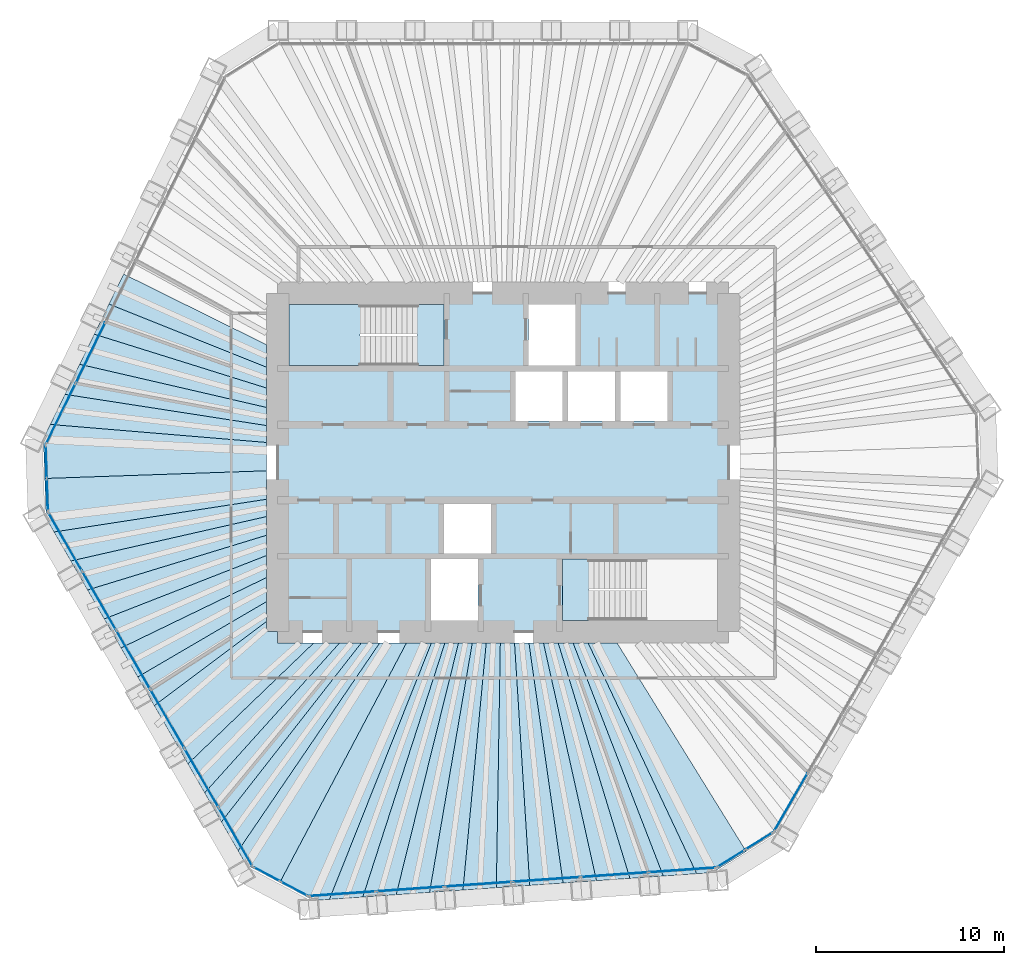
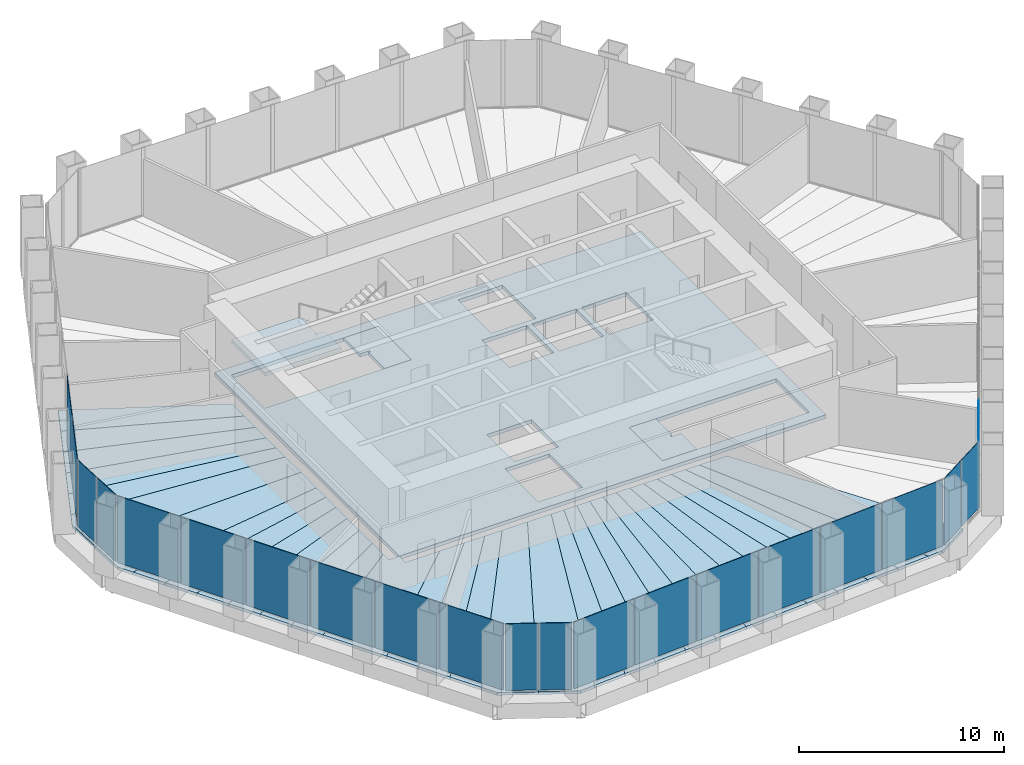
# One storey, part 8 of 13: 35 slabs, 21 plates, 9 elements without a shape of their own.
"""IFC4 building model written with IfcOpenShell, lengths in metres."""

from ifc_helpers import new_model, si_unit, direction, frame, origin, origin_2d, place, context, subcontext, project, spatial, polyline, rectangle, outline, extrude, material, layer, layer_set, type_object, element, aggregate, save


model = new_model("IFC4")

# Units and contexts
model_context = context("Model", 3, precision=1e-05, world=origin(), true_north=direction((0.0, 1.0)))
body_context = subcontext(model_context, "Body", "Model", "MODEL_VIEW")
ifc_project = project(units=[si_unit("LENGTHUNIT", "METRE"), si_unit("AREAUNIT", "SQUARE_METRE"), si_unit("VOLUMEUNIT", "CUBIC_METRE"), si_unit("PLANEANGLEUNIT", "RADIAN"), si_unit("MASSUNIT", "GRAM", prefix="KILO")], contexts=[model_context])

# Site, building, storey
site_placement = place(None, origin())
site = spatial("IfcSite", under=ifc_project, at=site_placement, CompositionType="ELEMENT")
building_placement = place(site_placement, origin())
building = spatial("IfcBuilding", under=site, at=building_placement, Name="Qingtian Harvest Tower", CompositionType="ELEMENT")
storey_placement = place(building_placement, frame((0.0, 0.0, 193.0)))
storey = spatial("IfcBuildingStorey", under=building, at=storey_placement, Name="L41", CompositionType="ELEMENT", Elevation=193.0)

# Slabs
ifc_material_1 = material(Name="Concrete fc' 35 MPa", Category="concrete")
ifc_layer_1 = layer(ifc_material_1, 0.169921875)
ifc_layer_set_1 = layer_set([ifc_layer_1], Name="Composite floor slab FS17 170")
slab_type_1 = type_object("IfcSlabType", Name="Composite floor slab FS17 170", PredefinedType="FLOOR", material=ifc_layer_set_1)
slab_1_placement = place(storey_placement, frame((0.0, 0.0, -0.169921875)))
element("IfcSlab", 1, at=slab_1_placement, inside=storey, type_object=slab_type_1, Name="Floor slab L41 panel D01", PredefinedType="FLOOR", context=body_context, shape_type="SweptSolid", body=[
    extrude(outline(polyline([(-24.403564453125, -0.852294921875), (-12.60009765625, -0.443115234375), (-12.60009765625, -1.958984375), (-23.9072265625, -3.701416015625), (-24.32958984375, -2.969970703125), (-24.403564453125, -0.852294921875)])), origin(), (0.0, 0.0, 1.0), 0.169921875),
])
slab_2_placement = place(storey_placement, frame((0.0, 0.0, -0.169921875)))
element("IfcSlab", 2, at=slab_2_placement, inside=storey, type_object=slab_type_1, Name="Floor slab L41 panel D02", PredefinedType="FLOOR", context=body_context, shape_type="SweptSolid", body=[
    extrude(outline(polyline([(-12.60009765625, -2.880126953125), (-23.016357421875, -5.244384765625), (-23.9072265625, -3.701416015625), (-12.60009765625, -1.958984375), (-12.60009765625, -2.880126953125)])), origin(), (0.0, 0.0, 1.0), 0.169921875),
])
slab_3_placement = place(storey_placement, frame((0.0, 0.0, -0.169921875)))
element("IfcSlab", 3, at=slab_3_placement, inside=storey, type_object=slab_type_1, Name="Floor slab L41 panel D03", PredefinedType="FLOOR", context=body_context, shape_type="SweptSolid", body=[
    extrude(outline(polyline([(-12.60009765625, -3.87548828125), (-22.12548828125, -6.78759765625), (-23.016357421875, -5.244384765625), (-12.60009765625, -2.880126953125), (-12.60009765625, -3.87548828125)])), origin(), (0.0, 0.0, 1.0), 0.169921875),
])
slab_4_placement = place(storey_placement, frame((0.0, 0.0, -0.169921875)))
element("IfcSlab", 4, at=slab_4_placement, inside=storey, type_object=slab_type_1, Name="Floor slab L41 panel D04", PredefinedType="FLOOR", context=body_context, shape_type="SweptSolid", body=[
    extrude(outline(polyline([(-12.60009765625, -4.95458984375), (-21.234619140625, -8.33056640625), (-22.12548828125, -6.78759765625), (-12.60009765625, -3.87548828125), (-12.60009765625, -4.95458984375)])), origin(), (0.0, 0.0, 1.0), 0.169921875),
])
slab_5_placement = place(storey_placement, frame((0.0, 0.0, -0.169921875)))
element("IfcSlab", 5, at=slab_5_placement, inside=storey, type_object=slab_type_1, Name="Floor slab L41 panel D05", PredefinedType="FLOOR", context=body_context, shape_type="SweptSolid", body=[
    extrude(outline(polyline([(-12.60009765625, -6.128173828125), (-20.34375, -9.87353515625), (-21.234619140625, -8.33056640625), (-12.60009765625, -4.95458984375), (-12.60009765625, -6.128173828125)])), origin(), (0.0, 0.0, 1.0), 0.169921875),
])
slab_6_placement = place(storey_placement, frame((0.0, 0.0, -0.169921875)))
element("IfcSlab", 6, at=slab_6_placement, inside=storey, type_object=slab_type_1, Name="Floor slab L41 panel D06", PredefinedType="FLOOR", context=body_context, shape_type="SweptSolid", body=[
    extrude(outline(polyline([(-12.60009765625, -7.409423828125), (-19.452880859375, -11.41650390625), (-20.34375, -9.87353515625), (-12.60009765625, -6.128173828125), (-12.60009765625, -7.409423828125)])), origin(), (0.0, 0.0, 1.0), 0.169921875),
])
slab_7_placement = place(storey_placement, frame((0.0, 0.0, -0.169921875)))
element("IfcSlab", 7, at=slab_7_placement, inside=storey, type_object=slab_type_1, Name="Floor slab L41 panel D07", PredefinedType="FLOOR", context=body_context, shape_type="SweptSolid", body=[
    extrude(outline(polyline([(-12.60009765625, -8.46435546875), (-18.5703125, -12.9453125), (-19.452880859375, -11.41650390625), (-12.60009765625, -7.409423828125), (-12.60009765625, -8.46435546875)])), origin(), (0.0, 0.0, 1.0), 0.169921875),
])
slab_8_placement = place(storey_placement, frame((0.0, 0.0, -0.169921875)))
element("IfcSlab", 8, at=slab_8_placement, inside=storey, type_object=slab_type_1, Name="Floor slab L41 panel D09", PredefinedType="FLOOR", context=body_context, shape_type="SweptSolid", body=[
    extrude(outline(polyline([(-16.781494140625, -16.043701171875), (-18.5703125, -12.9453125), (-12.60009765625, -8.46435546875), (-12.60009765625, -9.0), (-12.0, -9.0), (-12.0, -9.60009765625), (-10.07666015625, -9.60009765625), (-16.781494140625, -16.043701171875)])), origin(), (0.0, 0.0, 1.0), 0.169921875),
])
slab_9_placement = place(storey_placement, frame((0.0, 0.0, -0.169921875)))
element("IfcSlab", 9, at=slab_9_placement, inside=storey, type_object=slab_type_1, Name="Floor slab L41 panel D10", PredefinedType="FLOOR", context=body_context, shape_type="SweptSolid", body=[
    extrude(outline(polyline([(-8.700927734375, -9.60009765625), (-15.890380859375, -17.5869140625), (-16.781494140625, -16.043701171875), (-10.07666015625, -9.60009765625), (-8.700927734375, -9.60009765625)])), origin(), (0.0, 0.0, 1.0), 0.169921875),
])
slab_10_placement = place(storey_placement, frame((0.0, 0.0, -0.169921875)))
element("IfcSlab", 10, at=slab_10_placement, inside=storey, type_object=slab_type_1, Name="Floor slab L41 panel D11", PredefinedType="FLOOR", context=body_context, shape_type="SweptSolid", body=[
    extrude(outline(polyline([(-7.548095703125, -9.60009765625), (-14.99951171875, -19.1298828125), (-15.890380859375, -17.5869140625), (-8.700927734375, -9.60009765625), (-7.548095703125, -9.60009765625)])), origin(), (0.0, 0.0, 1.0), 0.169921875),
])
slab_11_placement = place(storey_placement, frame((0.0, 0.0, -0.169921875)))
element("IfcSlab", 11, at=slab_11_placement, inside=storey, type_object=slab_type_1, Name="Floor slab L41 panel D12", PredefinedType="FLOOR", context=body_context, shape_type="SweptSolid", body=[
    extrude(outline(polyline([(-6.568359375, -9.60009765625), (-14.108642578125, -20.673095703125), (-14.99951171875, -19.1298828125), (-7.548095703125, -9.60009765625), (-6.568359375, -9.60009765625)])), origin(), (0.0, 0.0, 1.0), 0.169921875),
])
slab_12_placement = place(storey_placement, frame((0.0, 0.0, -0.169921875)))
element("IfcSlab", 12, at=slab_12_placement, inside=storey, type_object=slab_type_1, Name="Floor slab L41 panel D13", PredefinedType="FLOOR", context=body_context, shape_type="SweptSolid", body=[
    extrude(outline(polyline([(-6.568359375, -9.60009765625), (-5.14501953125, -9.60009765625), (-11.890380859375, -22.359619140625), (-13.686279296875, -21.40478515625), (-14.108642578125, -20.673095703125), (-6.568359375, -9.60009765625)])), origin(), (0.0, 0.0, 1.0), 0.169921875),
])
slab_13_placement = place(storey_placement, frame((0.0, 0.0, -0.169921875)))
element("IfcSlab", 13, at=slab_13_placement, inside=storey, type_object=slab_type_1, Name="Floor slab L41 panel D14", PredefinedType="FLOOR", context=body_context, shape_type="SweptSolid", body=[
    extrude(outline(polyline([(-5.14501953125, -9.60009765625), (-3.817138671875, -9.60009765625), (-9.249755859375, -23.2568359375), (-10.092041015625, -23.315673828125), (-11.890380859375, -22.359619140625), (-5.14501953125, -9.60009765625)])), origin(), (0.0, 0.0, 1.0), 0.169921875),
])
slab_14_placement = place(storey_placement, frame((0.0, 0.0, -0.169921875)))
element("IfcSlab", 14, at=slab_14_placement, inside=storey, type_object=slab_type_1, Name="Floor slab L41 panel D15", PredefinedType="FLOOR", context=body_context, shape_type="SweptSolid", body=[
    extrude(outline(polyline([(-3.10009765625, -9.60009765625), (-7.472412109375, -23.132568359375), (-9.249755859375, -23.2568359375), (-3.817138671875, -9.60009765625), (-3.10009765625, -9.60009765625)])), origin(), (0.0, 0.0, 1.0), 0.169921875),
])
slab_15_placement = place(storey_placement, frame((0.0, 0.0, -0.169921875)))
element("IfcSlab", 15, at=slab_15_placement, inside=storey, type_object=slab_type_1, Name="Floor slab L41 panel D16", PredefinedType="FLOOR", context=body_context, shape_type="SweptSolid", body=[
    extrude(outline(polyline([(-2.375244140625, -9.60009765625), (-5.695068359375, -23.00830078125), (-7.472412109375, -23.132568359375), (-3.10009765625, -9.60009765625), (-2.375244140625, -9.60009765625)])), origin(), (0.0, 0.0, 1.0), 0.169921875),
])
slab_16_placement = place(storey_placement, frame((0.0, 0.0, -0.169921875)))
element("IfcSlab", 16, at=slab_16_placement, inside=storey, type_object=slab_type_1, Name="Floor slab L41 panel D17", PredefinedType="FLOOR", context=body_context, shape_type="SweptSolid", body=[
    extrude(outline(polyline([(-1.642578125, -9.60009765625), (-3.91796875, -22.884033203125), (-5.695068359375, -23.00830078125), (-2.375244140625, -9.60009765625), (-1.642578125, -9.60009765625)])), origin(), (0.0, 0.0, 1.0), 0.169921875),
])
slab_17_placement = place(storey_placement, frame((0.0, 0.0, -0.169921875)))
element("IfcSlab", 17, at=slab_17_placement, inside=storey, type_object=slab_type_1, Name="Floor slab L41 panel D18", PredefinedType="FLOOR", context=body_context, shape_type="SweptSolid", body=[
    extrude(outline(polyline([(-0.90185546875, -9.60009765625), (-2.140625, -22.759765625), (-3.91796875, -22.884033203125), (-1.642578125, -9.60009765625), (-0.90185546875, -9.60009765625)])), origin(), (0.0, 0.0, 1.0), 0.169921875),
])
slab_18_placement = place(storey_placement, frame((0.0, 0.0, -0.169921875)))
element("IfcSlab", 18, at=slab_18_placement, inside=storey, type_object=slab_type_1, Name="Floor slab L41 panel D19", PredefinedType="FLOOR", context=body_context, shape_type="SweptSolid", body=[
    extrude(outline(polyline([(-0.153076171875, -9.60009765625), (-0.36328125, -22.635498046875), (-2.140625, -22.759765625), (-0.90185546875, -9.60009765625), (-0.153076171875, -9.60009765625)])), origin(), (0.0, 0.0, 1.0), 0.169921875),
])
slab_19_placement = place(storey_placement, frame((0.0, 0.0, -0.169921875)))
element("IfcSlab", 19, at=slab_19_placement, inside=storey, type_object=slab_type_1, Name="Floor slab L41 panel D20", PredefinedType="FLOOR", context=body_context, shape_type="SweptSolid", body=[
    extrude(outline(polyline([(0.60400390625, -9.60009765625), (1.4140625, -22.51123046875), (-0.36328125, -22.635498046875), (-0.153076171875, -9.60009765625), (0.60400390625, -9.60009765625)])), origin(), (0.0, 0.0, 1.0), 0.169921875),
])
slab_20_placement = place(storey_placement, frame((0.0, 0.0, -0.169921875)))
element("IfcSlab", 20, at=slab_20_placement, inside=storey, type_object=slab_type_1, Name="Floor slab L41 panel D21", PredefinedType="FLOOR", context=body_context, shape_type="SweptSolid", body=[
    extrude(outline(polyline([(1.36962890625, -9.60009765625), (3.191162109375, -22.386962890625), (1.4140625, -22.51123046875), (0.60400390625, -9.60009765625), (1.36962890625, -9.60009765625)])), origin(), (0.0, 0.0, 1.0), 0.169921875),
])
slab_21_placement = place(storey_placement, frame((0.0, 0.0, -0.169921875)))
element("IfcSlab", 21, at=slab_21_placement, inside=storey, type_object=slab_type_1, Name="Floor slab L41 panel D22", PredefinedType="FLOOR", context=body_context, shape_type="SweptSolid", body=[
    extrude(outline(polyline([(2.1435546875, -9.60009765625), (4.968505859375, -22.2626953125), (3.191162109375, -22.386962890625), (1.36962890625, -9.60009765625), (2.1435546875, -9.60009765625)])), origin(), (0.0, 0.0, 1.0), 0.169921875),
])
slab_22_placement = place(storey_placement, frame((0.0, 0.0, -0.169921875)))
element("IfcSlab", 22, at=slab_22_placement, inside=storey, type_object=slab_type_1, Name="Floor slab L41 panel D23", PredefinedType="FLOOR", context=body_context, shape_type="SweptSolid", body=[
    extrude(outline(polyline([(2.92626953125, -9.60009765625), (6.745849609375, -22.138427734375), (4.968505859375, -22.2626953125), (2.1435546875, -9.60009765625), (2.92626953125, -9.60009765625)])), origin(), (0.0, 0.0, 1.0), 0.169921875),
])
slab_23_placement = place(storey_placement, frame((0.0, 0.0, -0.169921875)))
element("IfcSlab", 23, at=slab_23_placement, inside=storey, type_object=slab_type_1, Name="Floor slab L41 panel D24", PredefinedType="FLOOR", context=body_context, shape_type="SweptSolid", body=[
    extrude(outline(polyline([(3.718017578125, -9.60009765625), (8.523193359375, -22.01416015625), (6.745849609375, -22.138427734375), (2.92626953125, -9.60009765625), (3.718017578125, -9.60009765625)])), origin(), (0.0, 0.0, 1.0), 0.169921875),
])
slab_24_placement = place(storey_placement, frame((0.0, 0.0, -0.169921875)))
element("IfcSlab", 24, at=slab_24_placement, inside=storey, type_object=slab_type_1, Name="Floor slab L41 panel D25", PredefinedType="FLOOR", context=body_context, shape_type="SweptSolid", body=[
    extrude(outline(polyline([(4.5185546875, -9.60009765625), (10.30029296875, -21.889892578125), (8.523193359375, -22.01416015625), (3.718017578125, -9.60009765625), (4.5185546875, -9.60009765625)])), origin(), (0.0, 0.0, 1.0), 0.169921875),
])
slab_25_placement = place(storey_placement, frame((0.0, 0.0, -0.169921875)))
element("IfcSlab", 25, at=slab_25_placement, inside=storey, type_object=slab_type_1, Name="Floor slab L41 panel D26", PredefinedType="FLOOR", context=body_context, shape_type="SweptSolid", body=[
    extrude(outline(polyline([(4.5185546875, -9.60009765625), (6.059326171875, -9.60009765625), (12.94140625, -20.70703125), (11.142578125, -21.830810546875), (10.30029296875, -21.889892578125), (4.5185546875, -9.60009765625)])), origin(), (0.0, 0.0, 1.0), 0.169921875),
])
slab_26_placement = place(storey_placement, frame((0.0, 0.0, -0.169921875)))
element("IfcSlab", 26, at=slab_26_placement, inside=storey, type_object=slab_type_1, Name="Floor slab L41 panel D73", PredefinedType="FLOOR", context=body_context, shape_type="SweptSolid", body=[
    extrude(outline(polyline([(-12.60009765625, 5.072509765625), (-20.983154296875, 8.43017578125), (-20.201904296875, 10.031494140625), (-12.60009765625, 6.268310546875), (-12.60009765625, 5.072509765625)])), origin(), (0.0, 0.0, 1.0), 0.169921875),
])
slab_27_placement = place(storey_placement, frame((0.0, 0.0, -0.169921875)))
element("IfcSlab", 27, at=slab_27_placement, inside=storey, type_object=slab_type_1, Name="Floor slab L41 panel D74", PredefinedType="FLOOR", context=body_context, shape_type="SweptSolid", body=[
    extrude(outline(polyline([(-12.60009765625, 3.962890625), (-21.76416015625, 6.828857421875), (-20.983154296875, 8.43017578125), (-12.60009765625, 5.072509765625), (-12.60009765625, 3.962890625)])), origin(), (0.0, 0.0, 1.0), 0.169921875),
])
slab_28_placement = place(storey_placement, frame((0.0, 0.0, -0.169921875)))
element("IfcSlab", 28, at=slab_28_placement, inside=storey, type_object=slab_type_1, Name="Floor slab L41 panel D75", PredefinedType="FLOOR", context=body_context, shape_type="SweptSolid", body=[
    extrude(outline(polyline([(-12.60009765625, 2.929931640625), (-22.545166015625, 5.2275390625), (-21.76416015625, 6.828857421875), (-12.60009765625, 3.962890625), (-12.60009765625, 2.929931640625)])), origin(), (0.0, 0.0, 1.0), 0.169921875),
])
slab_29_placement = place(storey_placement, frame((0.0, 0.0, -0.169921875)))
element("IfcSlab", 29, at=slab_29_placement, inside=storey, type_object=slab_type_1, Name="Floor slab L41 panel D76", PredefinedType="FLOOR", context=body_context, shape_type="SweptSolid", body=[
    extrude(outline(polyline([(-12.60009765625, 1.96630859375), (-23.326171875, 3.626220703125), (-22.545166015625, 5.2275390625), (-12.60009765625, 2.929931640625), (-12.60009765625, 1.96630859375)])), origin(), (0.0, 0.0, 1.0), 0.169921875),
])
slab_30_placement = place(storey_placement, frame((0.0, 0.0, -0.169921875)))
element("IfcSlab", 30, at=slab_30_placement, inside=storey, type_object=slab_type_1, Name="Floor slab L41 panel D77", PredefinedType="FLOOR", context=body_context, shape_type="SweptSolid", body=[
    extrude(outline(polyline([(-12.60009765625, 1.065185546875), (-24.107177734375, 2.02490234375), (-23.326171875, 3.626220703125), (-12.60009765625, 1.96630859375), (-12.60009765625, 1.065185546875)])), origin(), (0.0, 0.0, 1.0), 0.169921875),
])
slab_31_placement = place(storey_placement, frame((0.0, 0.0, -0.169921875)))
element("IfcSlab", 31, at=slab_31_placement, inside=storey, type_object=slab_type_1, Name="Floor slab L41 panel D78", PredefinedType="FLOOR", context=body_context, shape_type="SweptSolid", body=[
    extrude(outline(polyline([(-12.60009765625, 1.065185546875), (-12.60009765625, -0.443115234375), (-24.403564453125, -0.852294921875), (-24.4775390625, 1.265625), (-24.107177734375, 2.02490234375), (-12.60009765625, 1.065185546875)])), origin(), (0.0, 0.0, 1.0), 0.169921875),
])
ifc_material_2 = material(Name="Concrete fc' 35 MPa", Category="concrete")
ifc_layer_2 = layer(ifc_material_2, 0.219970703125)
ifc_layer_set_2 = layer_set([ifc_layer_2], Name="Core floor slab CS22 220")
slab_type_2 = type_object("IfcSlabType", Name="Core floor slab CS22 220", PredefinedType="FLOOR", material=ifc_layer_set_2)
slab_32_placement = place(storey_placement, frame((0.0, 0.0, -0.219970703125)))
element("IfcSlab", 32, at=slab_32_placement, inside=storey, type_object=slab_type_2, Name="Core floor slab L41", PredefinedType="FLOOR", context=body_context, shape_type="SweptSolid", body=[
    extrude(outline(polyline([(-12.0, -9.0), (12.0, -9.0), (12.0, 9.0), (-12.0, 9.0), (-12.0, -9.0)]), holes=[polyline([(-11.39990234375, 5.14990234375), (-3.14990234375, 5.14990234375), (-3.14990234375, 8.39990234375), (-11.39990234375, 8.39990234375), (-11.39990234375, 5.14990234375)]), polyline([(3.14990234375, -8.39990234375), (11.39990234375, -8.39990234375), (11.39990234375, -5.14990234375), (3.14990234375, -5.14990234375), (3.14990234375, -8.39990234375)]), polyline([(1.35009765625, 5.14990234375), (3.85009765625, 5.14990234375), (3.85009765625, 8.39990234375), (1.35009765625, 8.39990234375), (1.35009765625, 5.14990234375)]), polyline([(-3.85009765625, -8.39990234375), (-1.35009765625, -8.39990234375), (-1.35009765625, -5.14990234375), (-3.85009765625, -5.14990234375), (-3.85009765625, -8.39990234375)]), polyline([(0.64990234375, 2.199951171875), (3.14990234375, 2.199951171875), (3.14990234375, 4.85009765625), (0.64990234375, 4.85009765625), (0.64990234375, 2.199951171875)]), polyline([(3.449951171875, 2.199951171875), (5.949951171875, 2.199951171875), (5.949951171875, 4.85009765625), (3.449951171875, 4.85009765625), (3.449951171875, 2.199951171875)]), polyline([(6.25, 2.199951171875), (8.75, 2.199951171875), (8.75, 4.85009765625), (6.25, 4.85009765625), (6.25, 2.199951171875)]), polyline([(-3.14990234375, -4.85009765625), (-0.64990234375, -4.85009765625), (-0.64990234375, -2.199951171875), (-3.14990234375, -2.199951171875), (-3.14990234375, -4.85009765625)])]), origin(), (0.0, 0.0, 1.0), 0.219970703125),
])

# Curtain wall, plate
ifc_material_3 = material(Name="Bronze-anodised aluminium curtain wall", Category="aluminium")
curtain_wall_type = type_object("IfcCurtainWallType", Name="Curtain wall CW4 office", PredefinedType="USERDEFINED", material=ifc_material_3)
curtain_wall_1_placement = place(storey_placement, origin())
curtain_wall_1 = element("IfcCurtainWall", 33, at=curtain_wall_1_placement, inside=storey, type_object=curtain_wall_type, Name="Curtain wall CW4 L41 SE0-5", ObjectType="RECESSED CURTAIN WALL", PredefinedType="USERDEFINED")
ifc_material_4 = material(Name="Bronze-tinted laminated insulating glass", Category="glass")
ifc_layer_3 = layer(ifc_material_4, 0.030029296875)
ifc_layer_set_3 = layer_set([ifc_layer_3], Name="Glazed panel CWP tinted IGU")
plate_type = type_object("IfcPlateType", Name="Glazed panel CWP tinted IGU", PredefinedType="CURTAIN_PANEL", material=ifc_layer_set_3)
plate_1_placement = place(storey_placement, frame((15.314208984375, -18.074951171875, 0.06494140625), z_axis=(0.0, 0.0, 1.0), x_axis=(-0.5, -0.866025403784, 0.0)))
plate_1 = element("IfcPlate", 34, at=plate_1_placement, type_object=plate_type, Name="CW4 panel 6.1", PredefinedType="CURTAIN_PANEL", context=body_context, shape_type="SweptSolid", body=[
    extrude(rectangle(XDim=3.5361328125, YDim=0.030029296875, at=origin_2d()), origin(), (0.0, 0.0, 1.0), 3.965087890625),
])
aggregate(curtain_wall_1, [plate_1])

# Curtain wall, plates
curtain_wall_2_placement = place(storey_placement, origin())
curtain_wall_2 = element("IfcCurtainWall", 35, at=curtain_wall_2_placement, inside=storey, type_object=curtain_wall_type, Name="Curtain wall CW4 L41 SEC", ObjectType="RECESSED CURTAIN WALL", PredefinedType="USERDEFINED")
plate_2_placement = place(storey_placement, frame((13.624755859375, -20.1455078125, 0.06494140625), z_axis=(0.0, 0.0, 1.0), x_axis=(-0.848048096156, -0.529919264233, 0.0)))
plate_2 = element("IfcPlate", 36, at=plate_2_placement, type_object=plate_type, Name="CW4 panel 1.1", PredefinedType="CURTAIN_PANEL", context=body_context, shape_type="SweptSolid", body=[
    extrude(rectangle(XDim=1.69287109375, YDim=0.030029296875, at=origin_2d()), origin(), (0.0, 0.0, 1.0), 3.965087890625),
])
plate_3_placement = place(storey_placement, frame((12.134033203125, -21.076904296875, 0.06494140625), z_axis=(0.0, 0.0, 1.0), x_axis=(-0.848048096156, -0.529919264233, 0.0)))
plate_3 = element("IfcPlate", 37, at=plate_3_placement, type_object=plate_type, Name="CW4 panel 2.1", PredefinedType="CURTAIN_PANEL", context=body_context, shape_type="SweptSolid", body=[
    extrude(rectangle(XDim=1.69287109375, YDim=0.030029296875, at=origin_2d()), origin(), (0.0, 0.0, 1.0), 3.965087890625),
])
aggregate(curtain_wall_2, [plate_2, plate_3])

curtain_wall_3_placement = place(storey_placement, origin())
curtain_wall_3 = element("IfcCurtainWall", 38, at=curtain_wall_3_placement, inside=storey, type_object=curtain_wall_type, Name="Curtain wall CW4 L41 S0-5", ObjectType="RECESSED CURTAIN WALL", PredefinedType="USERDEFINED")
plate_4_placement = place(storey_placement, frame((9.532470703125, -21.68798828125, 0.06494140625), z_axis=(0.0, 0.0, 1.0), x_axis=(-0.99756405026, -0.069756473744, 0.0)))
plate_4 = element("IfcPlate", 39, at=plate_4_placement, type_object=plate_type, Name="CW4 panel 1.1", PredefinedType="CURTAIN_PANEL", context=body_context, shape_type="SweptSolid", body=[
    extrude(rectangle(XDim=3.5361328125, YDim=0.030029296875, at=origin_2d()), origin(), (0.0, 0.0, 1.0), 3.965087890625),
])
plate_5_placement = place(storey_placement, frame((5.923828125, -21.940185546875, 0.06494140625), z_axis=(0.0, 0.0, 1.0), x_axis=(-0.99756405026, -0.069756473744, 0.0)))
plate_5 = element("IfcPlate", 40, at=plate_5_placement, type_object=plate_type, Name="CW4 panel 2.1", PredefinedType="CURTAIN_PANEL", context=body_context, shape_type="SweptSolid", body=[
    extrude(rectangle(XDim=3.568603515625, YDim=0.030029296875, at=origin_2d()), origin(), (0.0, 0.0, 1.0), 3.965087890625),
])
plate_6_placement = place(storey_placement, frame((2.299072265625, -22.193603515625, 0.06494140625), z_axis=(0.0, 0.0, 1.0), x_axis=(-0.99756405026, -0.069756473744, 0.0)))
plate_6 = element("IfcPlate", 41, at=plate_6_placement, type_object=plate_type, Name="CW4 panel 3.1", PredefinedType="CURTAIN_PANEL", context=body_context, shape_type="SweptSolid", body=[
    extrude(rectangle(XDim=3.568603515625, YDim=0.030029296875, at=origin_2d()), origin(), (0.0, 0.0, 1.0), 3.965087890625),
])
plate_7_placement = place(storey_placement, frame((-1.325439453125, -22.447021484375, 0.06494140625), z_axis=(0.0, 0.0, 1.0), x_axis=(-0.99756405026, -0.069756473744, 0.0)))
plate_7 = element("IfcPlate", 42, at=plate_7_placement, type_object=plate_type, Name="CW4 panel 4.1", PredefinedType="CURTAIN_PANEL", context=body_context, shape_type="SweptSolid", body=[
    extrude(rectangle(XDim=3.568603515625, YDim=0.030029296875, at=origin_2d()), origin(), (0.0, 0.0, 1.0), 3.965087890625),
])
plate_8_placement = place(storey_placement, frame((-4.9501953125, -22.70068359375, 0.06494140625), z_axis=(0.0, 0.0, 1.0), x_axis=(-0.99756405026, -0.069756473744, 0.0)))
plate_8 = element("IfcPlate", 43, at=plate_8_placement, type_object=plate_type, Name="CW4 panel 5.1", PredefinedType="CURTAIN_PANEL", context=body_context, shape_type="SweptSolid", body=[
    extrude(rectangle(XDim=3.568603515625, YDim=0.030029296875, at=origin_2d()), origin(), (0.0, 0.0, 1.0), 3.965087890625),
])
plate_9_placement = place(storey_placement, frame((-8.55859375, -22.952880859375, 0.06494140625), z_axis=(0.0, 0.0, 1.0), x_axis=(-0.99756405026, -0.069756473744, 0.0)))
plate_9 = element("IfcPlate", 44, at=plate_9_placement, type_object=plate_type, Name="CW4 panel 6.1", PredefinedType="CURTAIN_PANEL", context=body_context, shape_type="SweptSolid", body=[
    extrude(rectangle(XDim=3.5361328125, YDim=0.030029296875, at=origin_2d()), origin(), (0.0, 0.0, 1.0), 3.965087890625),
])
aggregate(curtain_wall_3, [plate_4, plate_5, plate_6, plate_7, plate_8, plate_9])

curtain_wall_4_placement = place(storey_placement, origin())
curtain_wall_4 = element("IfcCurtainWall", 45, at=curtain_wall_4_placement, inside=storey, type_object=curtain_wall_type, Name="Curtain wall CW4 L41 SC", ObjectType="RECESSED CURTAIN WALL", PredefinedType="USERDEFINED")
plate_10_placement = place(storey_placement, frame((-11.136474609375, -22.682373046875, 0.06494140625), z_axis=(0.0, 0.0, 1.0), x_axis=(-0.882947592859, 0.469471562786, 0.0)))
plate_10 = element("IfcPlate", 46, at=plate_10_placement, type_object=plate_type, Name="CW4 panel 1.1", PredefinedType="CURTAIN_PANEL", context=body_context, shape_type="SweptSolid", body=[
    extrude(rectangle(XDim=1.56689453125, YDim=0.030029296875, at=origin_2d()), origin(), (0.0, 0.0, 1.0), 3.965087890625),
])
plate_11_placement = place(storey_placement, frame((-12.5771484375, -21.916259765625, 0.06494140625), z_axis=(0.0, 0.0, 1.0), x_axis=(-0.882947592859, 0.469471562786, 0.0)))
plate_11 = element("IfcPlate", 47, at=plate_11_placement, type_object=plate_type, Name="CW4 panel 2.1", PredefinedType="CURTAIN_PANEL", context=body_context, shape_type="SweptSolid", body=[
    extrude(rectangle(XDim=1.56689453125, YDim=0.030029296875, at=origin_2d()), origin(), (0.0, 0.0, 1.0), 3.965087890625),
])
aggregate(curtain_wall_4, [plate_10, plate_11])

curtain_wall_5_placement = place(storey_placement, origin())
curtain_wall_5 = element("IfcCurtainWall", 48, at=curtain_wall_5_placement, inside=storey, type_object=curtain_wall_type, Name="Curtain wall CW4 L41 SW0-5", ObjectType="RECESSED CURTAIN WALL", PredefinedType="USERDEFINED")
plate_12_placement = place(storey_placement, frame((-14.242919921875, -19.9306640625, 0.06494140625), z_axis=(0.0, 0.0, 1.0), x_axis=(-0.5, 0.866025403784, 0.0)))
plate_12 = element("IfcPlate", 49, at=plate_12_placement, type_object=plate_type, Name="CW4 panel 1.1", PredefinedType="CURTAIN_PANEL", context=body_context, shape_type="SweptSolid", body=[
    extrude(rectangle(XDim=3.5361328125, YDim=0.030029296875, at=origin_2d()), origin(), (0.0, 0.0, 1.0), 3.965087890625),
])
plate_13_placement = place(storey_placement, frame((-16.051513671875, -16.7978515625, 0.06494140625), z_axis=(0.0, 0.0, 1.0), x_axis=(-0.5, 0.866025403784, 0.0)))
plate_13 = element("IfcPlate", 50, at=plate_13_placement, type_object=plate_type, Name="CW4 panel 2.1", PredefinedType="CURTAIN_PANEL", context=body_context, shape_type="SweptSolid", body=[
    extrude(rectangle(XDim=3.568603515625, YDim=0.030029296875, at=origin_2d()), origin(), (0.0, 0.0, 1.0), 3.965087890625),
])
plate_14_placement = place(storey_placement, frame((-17.868408203125, -13.651123046875, 0.06494140625), z_axis=(0.0, 0.0, 1.0), x_axis=(-0.5, 0.866025403784, 0.0)))
plate_14 = element("IfcPlate", 51, at=plate_14_placement, type_object=plate_type, Name="CW4 panel 3.1", PredefinedType="CURTAIN_PANEL", context=body_context, shape_type="SweptSolid", body=[
    extrude(rectangle(XDim=3.568603515625, YDim=0.030029296875, at=origin_2d()), origin(), (0.0, 0.0, 1.0), 3.965087890625),
])
plate_15_placement = place(storey_placement, frame((-19.68505859375, -10.50439453125, 0.06494140625), z_axis=(0.0, 0.0, 1.0), x_axis=(-0.5, 0.866025403784, 0.0)))
plate_15 = element("IfcPlate", 52, at=plate_15_placement, type_object=plate_type, Name="CW4 panel 4.1", PredefinedType="CURTAIN_PANEL", context=body_context, shape_type="SweptSolid", body=[
    extrude(rectangle(XDim=3.568603515625, YDim=0.030029296875, at=origin_2d()), origin(), (0.0, 0.0, 1.0), 3.965087890625),
])
plate_16_placement = place(storey_placement, frame((-21.501953125, -7.357666015625, 0.06494140625), z_axis=(0.0, 0.0, 1.0), x_axis=(-0.5, 0.866025403784, 0.0)))
plate_16 = element("IfcPlate", 53, at=plate_16_placement, type_object=plate_type, Name="CW4 panel 5.1", PredefinedType="CURTAIN_PANEL", context=body_context, shape_type="SweptSolid", body=[
    extrude(rectangle(XDim=3.568603515625, YDim=0.030029296875, at=origin_2d()), origin(), (0.0, 0.0, 1.0), 3.965087890625),
])
plate_17_placement = place(storey_placement, frame((-23.310546875, -4.22509765625, 0.06494140625), z_axis=(0.0, 0.0, 1.0), x_axis=(-0.5, 0.866025403784, 0.0)))
plate_17 = element("IfcPlate", 54, at=plate_17_placement, type_object=plate_type, Name="CW4 panel 6.1", PredefinedType="CURTAIN_PANEL", context=body_context, shape_type="SweptSolid", body=[
    extrude(rectangle(XDim=3.5361328125, YDim=0.030029296875, at=origin_2d()), origin(), (0.0, 0.0, 1.0), 3.965087890625),
])
aggregate(curtain_wall_5, [plate_12, plate_13, plate_14, plate_15, plate_16, plate_17])

curtain_wall_6_placement = place(storey_placement, origin())
curtain_wall_6 = element("IfcCurtainWall", 55, at=curtain_wall_6_placement, inside=storey, type_object=curtain_wall_type, Name="Curtain wall CW4 L41 SWC", ObjectType="RECESSED CURTAIN WALL", PredefinedType="USERDEFINED")
plate_18_placement = place(storey_placement, frame((-24.2587890625, -1.7265625, 0.06494140625), z_axis=(0.0, 0.0, 1.0), x_axis=(-0.034899496703, 0.999390827019, 0.0)))
plate_18 = element("IfcPlate", 56, at=plate_18_placement, type_object=plate_type, Name="CW4 panel 1.1", PredefinedType="CURTAIN_PANEL", context=body_context, shape_type="SweptSolid", body=[
    extrude(rectangle(XDim=1.69287109375, YDim=0.030029296875, at=origin_2d()), origin(), (0.0, 0.0, 1.0), 3.965087890625),
])
plate_19_placement = place(storey_placement, frame((-24.320068359375, 0.0302734375, 0.06494140625), z_axis=(0.0, 0.0, 1.0), x_axis=(-0.034899496703, 0.999390827019, 0.0)))
plate_19 = element("IfcPlate", 57, at=plate_19_placement, type_object=plate_type, Name="CW4 panel 2.1", PredefinedType="CURTAIN_PANEL", context=body_context, shape_type="SweptSolid", body=[
    extrude(rectangle(XDim=1.69287109375, YDim=0.030029296875, at=origin_2d()), origin(), (0.0, 0.0, 1.0), 3.965087890625),
])
aggregate(curtain_wall_6, [plate_18, plate_19])

curtain_wall_7_placement = place(storey_placement, origin())
curtain_wall_7 = element("IfcCurtainWall", 58, at=curtain_wall_7_placement, inside=storey, type_object=curtain_wall_type, Name="Curtain wall CW4 L41 NW0-5", ObjectType="RECESSED CURTAIN WALL", PredefinedType="USERDEFINED")
plate_20_placement = place(storey_placement, frame((-23.54833984375, 2.588623046875, 0.06494140625), z_axis=(0.0, 0.0, 1.0), x_axis=(0.438371146789, 0.898794046299, 0.0)))
plate_20 = element("IfcPlate", 59, at=plate_20_placement, type_object=plate_type, Name="CW4 panel 1.1", PredefinedType="CURTAIN_PANEL", context=body_context, shape_type="SweptSolid", body=[
    extrude(rectangle(XDim=3.5361328125, YDim=0.030029296875, at=origin_2d()), origin(), (0.0, 0.0, 1.0), 3.965087890625),
])
plate_21_placement = place(storey_placement, frame((-21.962646484375, 5.83984375, 0.06494140625), z_axis=(0.0, 0.0, 1.0), x_axis=(0.438371146789, 0.898794046299, 0.0)))
plate_21 = element("IfcPlate", 60, at=plate_21_placement, type_object=plate_type, Name="CW4 panel 2.1", PredefinedType="CURTAIN_PANEL", context=body_context, shape_type="SweptSolid", body=[
    extrude(rectangle(XDim=3.568603515625, YDim=0.030029296875, at=origin_2d()), origin(), (0.0, 0.0, 1.0), 3.965087890625),
])
aggregate(curtain_wall_7, [plate_20, plate_21])

# Stair, slabs
ifc_material_5 = material(Name="Concrete fc' 35 MPa", Category="concrete")
stair_type = type_object("IfcStairType", Name="Special stair ST4 4200", PredefinedType="HALF_TURN_STAIR", material=ifc_material_5)
stair_1_placement = place(storey_placement, origin())
stair_1 = element("IfcStair", 61, at=stair_1_placement, inside=storey, type_object=stair_type, Name="Special stair S1 L41", PredefinedType="HALF_TURN_STAIR")
ifc_material_6 = material(Name="Concrete fc' 35 MPa", Category="concrete")
ifc_layer_4 = layer(ifc_material_6, 0.199951171875)
ifc_layer_set_4 = layer_set([ifc_layer_4], Name="Stair landing SL2 200")
slab_type_3 = type_object("IfcSlabType", Name="Stair landing SL2 200", PredefinedType="LANDING", material=ifc_layer_set_4)
slab_33_placement = place(storey_placement, frame((0.0, 0.0, -0.199951171875)))
slab_33 = element("IfcSlab", 62, at=slab_33_placement, type_object=slab_type_3, Name="S1 landing 1", PredefinedType="LANDING", context=body_context, shape_type="SweptSolid", body=[
    extrude(outline(polyline([(-4.64990234375, 5.14990234375), (-4.64990234375, 6.72509765625), (-4.550048828125, 6.72509765625), (-4.550048828125, 6.824951171875), (-5.0849609375, 6.824951171875), (-5.0849609375, 8.39990234375), (-3.14990234375, 8.39990234375), (-3.14990234375, 5.14990234375), (-4.64990234375, 5.14990234375)])), origin(), (0.0, 0.0, 1.0), 0.199951171875),
])
slab_34_placement = place(storey_placement, frame((0.0, 0.0, 1.89990234375)))
slab_34 = element("IfcSlab", 63, at=slab_34_placement, type_object=slab_type_3, Name="S1 landing 2", PredefinedType="LANDING", context=body_context, shape_type="SweptSolid", body=[
    extrude(outline(polyline([(-7.094970703125, 5.14990234375), (-11.39990234375, 5.14990234375), (-11.39990234375, 8.39990234375), (-7.530029296875, 8.39990234375), (-7.530029296875, 6.824951171875), (-7.6298828125, 6.824951171875), (-7.6298828125, 6.72509765625), (-7.094970703125, 6.72509765625), (-7.094970703125, 5.14990234375)])), origin(), (0.0, 0.0, 1.0), 0.2001953125),
])
aggregate(stair_1, [slab_33, slab_34])

# Stair, slab
stair_2_placement = place(storey_placement, origin())
stair_2 = element("IfcStair", 64, at=stair_2_placement, inside=storey, type_object=stair_type, Name="Special stair S2 L41", PredefinedType="HALF_TURN_STAIR")
slab_35_placement = place(storey_placement, frame((0.0, 0.0, -0.199951171875)))
slab_35 = element("IfcSlab", 65, at=slab_35_placement, type_object=slab_type_3, Name="S2 landing 1", PredefinedType="LANDING", context=body_context, shape_type="SweptSolid", body=[
    extrude(outline(polyline([(5.0849609375, -8.39990234375), (3.14990234375, -8.39990234375), (3.14990234375, -5.14990234375), (4.64990234375, -5.14990234375), (4.64990234375, -6.72509765625), (4.550048828125, -6.72509765625), (4.550048828125, -6.824951171875), (5.0849609375, -6.824951171875), (5.0849609375, -8.39990234375)])), origin(), (0.0, 0.0, 1.0), 0.199951171875),
])
aggregate(stair_2, [slab_35])

save(model, "model.ifc")
